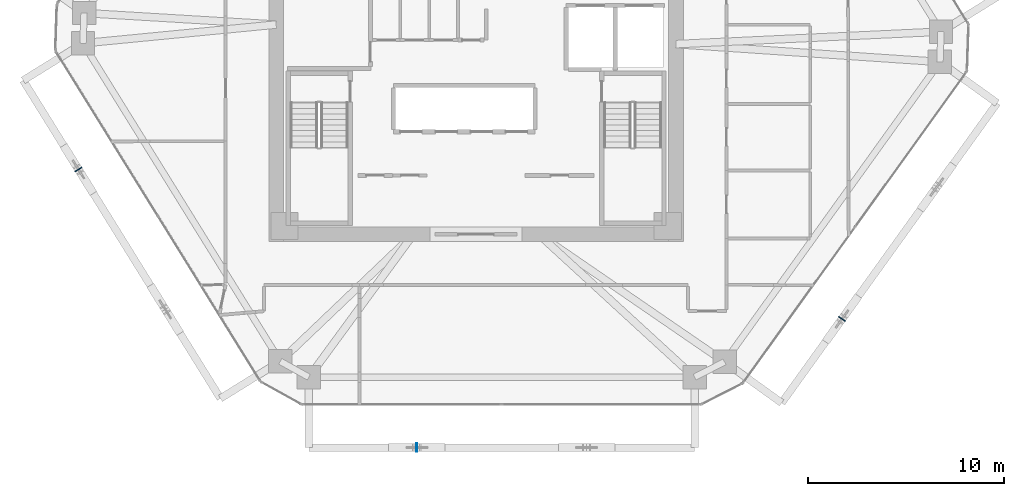
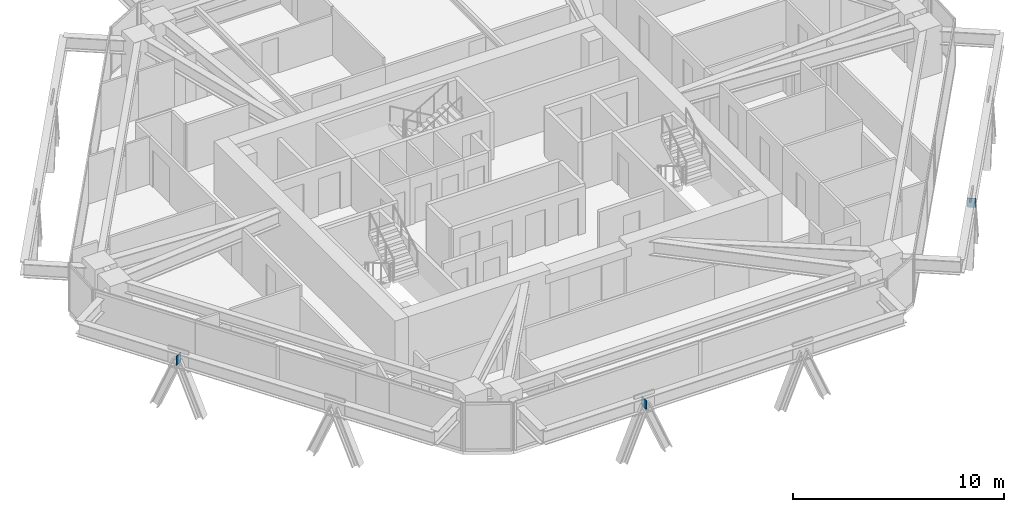
# One storey, part 10 of 17: 3 plates.
"""IFC4 building model written with IfcOpenShell, lengths in metres."""

from ifc_helpers import new_model, si_unit, direction, frame, origin, origin_2d, place, context, subcontext, project, spatial, rectangle, extrude, source, transform, mapped, material, layer, layer_set, type_object, type_shapes, element, save


model = new_model("IFC4")

# Units and contexts
model_context = context("Model", 3, precision=1e-05, world=origin(), true_north=direction((0.0, 1.0)))
body_context = subcontext(model_context, "Body", "Model", "MODEL_VIEW")
ifc_project = project(units=[si_unit("LENGTHUNIT", "METRE"), si_unit("AREAUNIT", "SQUARE_METRE"), si_unit("VOLUMEUNIT", "CUBIC_METRE"), si_unit("PLANEANGLEUNIT", "RADIAN"), si_unit("MASSUNIT", "GRAM", prefix="KILO")], contexts=[model_context])

# Site, building, storey
site_placement = place(None, origin())
site = spatial("IfcSite", under=ifc_project, at=site_placement, CompositionType="ELEMENT")
building_placement = place(site_placement, origin())
building = spatial("IfcBuilding", under=site, at=building_placement, Name="Durnholm Broadcast Tower", CompositionType="ELEMENT")
storey_placement = place(building_placement, frame((0.0, 0.0, 137.10009765625)))
storey = spatial("IfcBuildingStorey", under=building, at=storey_placement, Name="L37", CompositionType="ELEMENT", Elevation=137.10009765625)

# Plates
ifc_material = material(Name="Steel ASTM A572 Grade 50", Category="steel")
ifc_layer = layer(ifc_material, 0.044921875)
ifc_layer_set = layer_set([ifc_layer], Name="Steel ASTM A572 Grade 50")
plate_type = type_object("IfcPlateType", Name="PLT-KN-STIF", PredefinedType="SHEET", material=ifc_layer_set)
shared_shape = source(origin(), body_context, "Body", "SweptSolid", [
    extrude(rectangle(XDim=0.044921875, YDim=0.419921875, at=origin_2d()), origin(), (0.0, 0.0, 1.0), 0.52001953125),
])
type_shapes(plate_type, [shared_shape])
for number, where, z_axis, x_axis, name in (
    (1, (-3.028076171875, -19.136962890625, 1.74853515625), (0.0, 0.0, 1.0), (1.0, 0.0, 0.0), "L37 welded diagrid node stiffener plate F1"),
    (2, (18.71875, -12.556396484375, 1.74853515625), (0.0, 0.0, 1.0), (0.583399467156, 0.812185361677, 0.0), "L37 welded diagrid node stiffener plate F2"),
    (3, (-20.337158203125, -4.910400390625, 1.74853515625), (0.0, 0.0, 1.0), (0.527104121728, -0.849800708906, 0.0), "L37 welded diagrid node stiffener plate F6"),
):
    element("IfcPlate", number, at=place(storey_placement, frame(where, z_axis=z_axis, x_axis=x_axis)), inside=storey, type_object=plate_type, Name=name, PredefinedType="SHEET", context=body_context, shape_type="MappedRepresentation", body=[
        mapped(shared_shape, transform((0.0, 0.0, 0.0), x_axis=(1.0, 0.0, 0.0), y_axis=(0.0, 1.0, 0.0), z_axis=(0.0, 0.0, 1.0), scale=1.0)),
    ])

save(model, "model.ifc")
